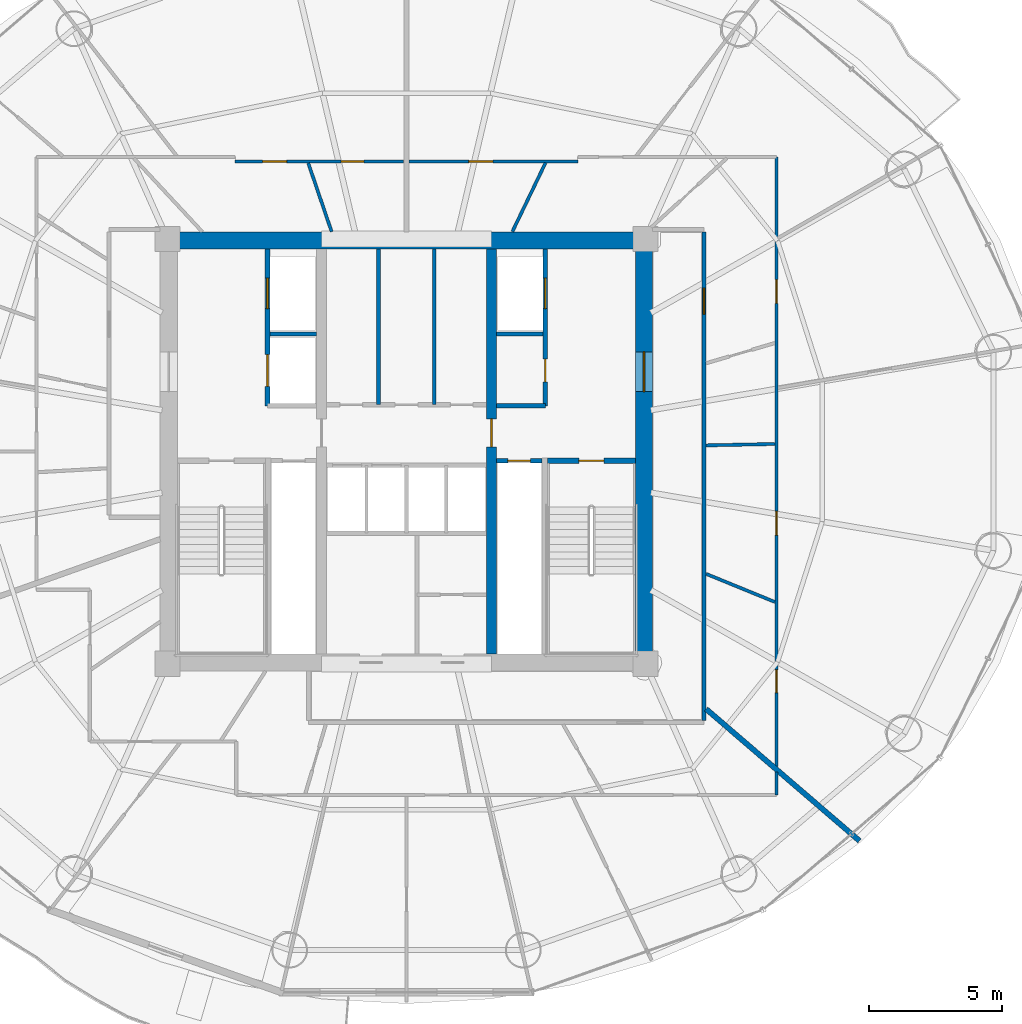
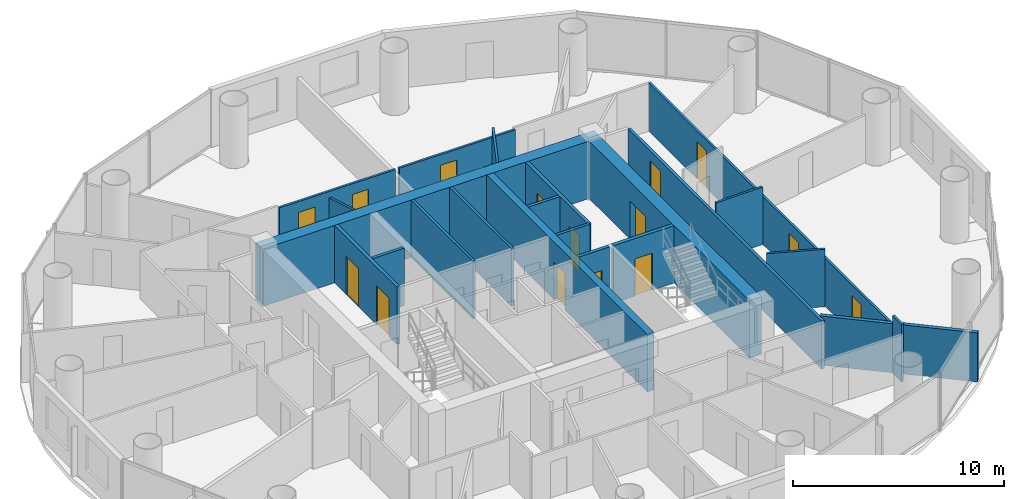
# One storey, part 23 of 27: 22 walls, 15 doors, 15 openings.
"""IFC4 building model written with IfcOpenShell, lengths in metres."""

from ifc_helpers import new_model, si_unit, direction, frame, frame_2d, origin, place, context, subcontext, project, spatial, rectangle, extrude, source, transform, mapped, material, layer, layer_set, type_object, element, fill, save


model = new_model("IFC4")

# Units and contexts
model_context = context("Model", 3, precision=1e-05, world=origin(), true_north=direction((-0.2419218956, 0.970295726276)))
body_context = subcontext(model_context, "Body", "Model", "MODEL_VIEW")
ifc_project = project(units=[si_unit("LENGTHUNIT", "METRE"), si_unit("AREAUNIT", "SQUARE_METRE"), si_unit("VOLUMEUNIT", "CUBIC_METRE"), si_unit("PLANEANGLEUNIT", "RADIAN"), si_unit("MASSUNIT", "GRAM", prefix="KILO")], contexts=[model_context])

# Site, building, storey
site_placement = place(None, origin())
site = spatial("IfcSite", under=ifc_project, at=site_placement, CompositionType="ELEMENT")
building_placement = place(site_placement, origin())
building = spatial("IfcBuilding", under=site, at=building_placement, Name="Cobrevalo Terracotta Tower", CompositionType="ELEMENT")
storey_placement = place(building_placement, frame((0.0, 0.0, 146.199951171875)))
storey = spatial("IfcBuildingStorey", under=building, at=storey_placement, Name="L38", CompositionType="ELEMENT", Elevation=146.199951171875)

# Wall
ifc_material_1 = material(Name="Concrete C55", Category="concrete")
ifc_layer_1 = layer(ifc_material_1, 0.64990234375)
ifc_layer_set_1 = layer_set([ifc_layer_1], Name="Concrete C55")
wall_type_1 = type_object("IfcWallType", Name="Core shear wall 650 mm Concrete C55", PredefinedType="SHEAR", material=ifc_layer_set_1)
wall_1_placement = place(storey_placement, frame((28.72509765625, 34.75, 0.0), z_axis=(0.0, 0.0, 1.0), x_axis=(1.0, 0.0, 0.0)))
element("IfcWall", 1, at=wall_1_placement, inside=storey, type_object=wall_type_1, Name="L38 north core shear wall", PredefinedType="SHEAR", context=body_context, shape_type="SweptSolid", body=[
    extrude(rectangle(XDim=18.5498046875, YDim=0.64990234375, at=frame_2d((9.27490234375, 0.0))), origin(), (0.0, 0.0, 1.0), 3.330078125),
])

# Wall, opening, door
wall_2_placement = place(storey_placement, frame((46.949951171875, 19.175048828125, 0.0), z_axis=(0.0, 0.0, 1.0), x_axis=(0.0, 1.0, 0.0)))
wall_2 = element("IfcWall", 2, at=wall_2_placement, inside=storey, type_object=wall_type_1, Name="L38 east core shear wall", PredefinedType="SHEAR", context=body_context, shape_type="SweptSolid", body=[
    extrude(rectangle(XDim=15.25, YDim=0.64990234375, at=frame_2d((7.625, 0.0))), origin(), (0.0, 0.0, 1.0), 3.330078125),
])
opening_1_placement = place(wall_2_placement, frame((9.875, 0.0, 0.0)))
opening_1 = element("IfcOpeningElement", 3, at=opening_1_placement, cuts=wall_2, Name="Opening ID-14", PredefinedType="OPENING", context=body_context, shape_type="SweptSolid", body=[
    extrude(rectangle(XDim=1.5, YDim=2.199951171875, at=frame_2d((0.75, 1.10009765625))), frame((0.0, 0.3349609375, 0.0), z_axis=(0.0, -1.0, 0.0), x_axis=(1.0, 0.0, 0.0)), (0.0, 0.0, 1.0), 0.669921875),
])
ifc_material_2 = material(Name="Galvanized fire-rated steel", Category="steel")
door_type_1 = type_object("IfcDoorType", Name="Core cross-lobby double fire door 1500x2200 EI 90", OperationType="NOTDEFINED", PredefinedType="DOOR", material=ifc_material_2)
shared_shape_1 = source(origin(), body_context, "Body", "SweptSolid", [
    extrude(rectangle(XDim=1.5, YDim=2.199951171875, at=frame_2d((0.75, 1.10009765625))), frame((0.0, 0.02490234375, 0.0), z_axis=(0.0, -1.0, 0.0), x_axis=(1.0, 0.0, 0.0)), (0.0, 0.0, 1.0), 0.050048828125),
])
door_1_placement = place(opening_1_placement, frame((1.5, 0.0, 0.0), z_axis=(0.0, 0.0, 1.0), x_axis=(-1.0, 0.0, 0.0)))
door_1 = element("IfcDoor", 4, at=door_1_placement, inside=storey, type_object=door_type_1, Name="L38 east firefighting lobby entrance door", OperationType="DOUBLE_DOOR_SINGLE_SWING", OverallHeight=2.199951171875, OverallWidth=1.5, PredefinedType="DOOR", context=body_context, shape_type="MappedRepresentation", body=[
    mapped(shared_shape_1, transform((0.0, 0.0, 0.0), scale=1.0)),
])
fill(opening_1, door_1)

# Walls
ifc_material_3 = material(Name="Gypsum board on steel stud", Category="steel")
ifc_layer_2 = layer(ifc_material_3, 0.159912109375)
ifc_layer_set_2 = layer_set([ifc_layer_2], Name="Gypsum board on steel stud")
wall_type_2 = type_object("IfcWallType", Name="Fire-rated corridor acoustic partition wall 160 mm", PredefinedType="PARTITIONING", material=ifc_layer_set_2)
for number, where, z_axis, x_axis, name in (
    (5, (32.860107421875, 31.219970703125, 0.0), (0.0, 0.0, 1.0), (1.0, 0.0, 0.0), "L38 interior partition IW-L38-FF1-M"),
    (6, (41.389892578125, 31.219970703125, 0.0), (0.0, 0.0, 1.0), (1.0, 0.0, 0.0), "L38 interior partition IW-L38-FF2-M"),
):
    element("IfcWall", number, at=place(storey_placement, frame(where, z_axis=z_axis, x_axis=x_axis)), inside=storey, type_object=wall_type_2, Name=name, PredefinedType="PARTITIONING", context=body_context, shape_type="SweptSolid", body=[
        extrude(rectangle(XDim=1.75, YDim=0.159912109375, at=frame_2d((0.875, 0.0))), origin(), (0.0, 0.0, 1.0), 3.330078125),
    ])
wall_3_placement = place(storey_placement, frame((41.389892578125, 28.52001953125, 0.0), z_axis=(0.0, 0.0, 1.0), x_axis=(1.0, 0.0, 0.0)))
element("IfcWall", 7, at=wall_3_placement, inside=storey, type_object=wall_type_2, Name="L38 interior partition IW-L38-FF2-S", PredefinedType="PARTITIONING", context=body_context, shape_type="SweptSolid", body=[
    extrude(rectangle(XDim=1.840087890625, YDim=0.159912109375, at=frame_2d((0.919921875, 0.0))), origin(), (0.0, 0.0, 1.0), 3.330078125),
])

# Wall, opening, door
wall_4_placement = place(storey_placement, frame((49.205078125, 16.675048828125, 0.0), z_axis=(0.0, 0.0, 1.0), x_axis=(0.0, 1.0, 0.0)))
wall_4 = element("IfcWall", 8, at=wall_4_placement, inside=storey, type_object=wall_type_2, Name="L38 interior partition IW-L38-COR-E", PredefinedType="PARTITIONING", context=body_context, shape_type="SweptSolid", body=[
    extrude(rectangle(XDim=18.39990234375, YDim=0.159912109375, at=frame_2d((9.199951171875, 0.0))), origin(), (0.0, 0.0, 1.0), 2.776123046875),
])
opening_2_placement = place(wall_4_placement, frame((15.298828125, 0.0, 0.0)))
opening_2 = element("IfcOpeningElement", 9, at=opening_2_placement, cuts=wall_4, Name="Opening ID-05", PredefinedType="OPENING", context=body_context, shape_type="SweptSolid", body=[
    extrude(rectangle(XDim=0.97998046875, YDim=2.199951171875, at=frame_2d((0.489990234375, 1.10009765625))), frame((0.0, 0.08984375, 0.0), z_axis=(0.0, -1.0, 0.0), x_axis=(1.0, 0.0, 0.0)), (0.0, 0.0, 1.0), 0.179931640625),
])
ifc_material_4 = material(Name="Solid hardwood timber", Category="wood")
door_type_2 = type_object("IfcDoorType", Name="Residence entrance fire-rated acoustic timber door 980x2200 EI 60", OperationType="NOTDEFINED", PredefinedType="DOOR", material=ifc_material_4)
shared_shape_2 = source(origin(), body_context, "Body", "SweptSolid", [
    extrude(rectangle(XDim=0.97998046875, YDim=2.199951171875, at=frame_2d((0.489990234375, 1.10009765625))), frame((0.0, 0.02490234375, 0.0), z_axis=(0.0, -1.0, 0.0), x_axis=(1.0, 0.0, 0.0)), (0.0, 0.0, 1.0), 0.050048828125),
])
door_2_placement = place(opening_2_placement, frame((0.97998046875, 0.0, 0.0), z_axis=(0.0, 0.0, 1.0), x_axis=(-1.0, 0.0, 0.0)))
door_2 = element("IfcDoor", 10, at=door_2_placement, inside=storey, type_object=door_type_2, Name="Flat L38C fire-rated apartment entrance door", OperationType="SINGLE_SWING_LEFT", OverallHeight=2.199951171875, OverallWidth=0.97998046875, PredefinedType="DOOR", context=body_context, shape_type="MappedRepresentation", body=[
    mapped(shared_shape_2, transform((0.0, 0.0, 0.0), scale=1.0)),
])
fill(opening_2, door_2)

ifc_layer_3 = layer(ifc_material_3, 0.179931640625)
ifc_layer_set_3 = layer_set([ifc_layer_3], Name="Gypsum board on steel stud")
wall_type_3 = type_object("IfcWallType", Name="Fire-rated shaft & lobby acoustic partition wall 180 mm", PredefinedType="PARTITIONING", material=ifc_layer_set_3)
wall_5_placement = place(storey_placement, frame((41.389892578125, 26.449951171875, 0.0), z_axis=(0.0, 0.0, 1.0), x_axis=(1.0, 0.0, 0.0)))
wall_5 = element("IfcWall", 11, at=wall_5_placement, inside=storey, type_object=wall_type_3, Name="L38 interior partition IW-L38-RSE-N", PredefinedType="PARTITIONING", context=body_context, shape_type="SweptSolid", body=[
    extrude(rectangle(XDim=1.710205078125, YDim=0.179931640625, at=frame_2d((0.85498046875, 0.0))), origin(), (0.0, 0.0, 1.0), 3.330078125),
])
opening_3_placement = place(wall_5_placement, frame((0.429931640625, 0.0, 0.0)))
opening_3 = element("IfcOpeningElement", 12, at=opening_3_placement, cuts=wall_5, Name="Opening ID-22", PredefinedType="OPENING", context=body_context, shape_type="SweptSolid", body=[
    extrude(rectangle(XDim=0.85009765625, YDim=2.10009765625, at=frame_2d((0.425048828125, 1.050048828125))), frame((0.0, 0.10009765625, 0.0), z_axis=(0.0, -1.0, 0.0), x_axis=(1.0, 0.0, 0.0)), (0.0, 0.0, 1.0), 0.199951171875),
])
ifc_material_5 = material(Name="Powder-coated steel", Category="steel")
door_type_3 = type_object("IfcDoorType", Name="Riser shaft & meter closet fire access door 850x2100 EI 60", OperationType="NOTDEFINED", PredefinedType="DOOR", material=ifc_material_5)
shared_shape_3 = source(origin(), body_context, "Body", "SweptSolid", [
    extrude(rectangle(XDim=0.85009765625, YDim=2.10009765625, at=frame_2d((0.425048828125, 1.050048828125))), frame((0.0, 0.02490234375, 0.0), z_axis=(0.0, -1.0, 0.0), x_axis=(1.0, 0.0, 0.0)), (0.0, 0.0, 1.0), 0.050048828125),
])
door_3_placement = place(opening_3_placement, origin())
door_3 = element("IfcDoor", 13, at=door_3_placement, inside=storey, type_object=door_type_3, Name="L38 riser access door RSE", OperationType="SINGLE_SWING_RIGHT", OverallHeight=2.10009765625, OverallWidth=0.85009765625, PredefinedType="DOOR", context=body_context, shape_type="MappedRepresentation", body=[
    mapped(shared_shape_3, transform((0.0, 0.0, 0.0), scale=1.0)),
])
fill(opening_3, door_3)

# Wall, openings, doors
wall_6_placement = place(storey_placement, frame((32.77001953125, 28.52001953125, 0.0), z_axis=(0.0, 0.0, 1.0), x_axis=(0.0, 1.0, 0.0)))
wall_6 = element("IfcWall", 14, at=wall_6_placement, inside=storey, type_object=wall_type_3, Name="L38 interior partition IW-L38-FF1-W", PredefinedType="PARTITIONING", context=body_context, shape_type="SweptSolid", body=[
    extrude(rectangle(XDim=5.905029296875, YDim=0.179931640625, at=frame_2d((2.95263671875, 0.0))), origin(), (0.0, 0.0, 1.0), 3.330078125),
])
opening_4_placement = place(wall_6_placement, frame((3.655029296875, 0.0, 0.0)))
opening_4 = element("IfcOpeningElement", 15, at=opening_4_placement, cuts=wall_6, Name="Opening LD-02", PredefinedType="OPENING", context=body_context, shape_type="SweptSolid", body=[
    extrude(rectangle(XDim=1.14990234375, YDim=2.199951171875, at=frame_2d((0.574951171875, 1.10009765625))), frame((0.0, 0.10009765625, 0.0), z_axis=(0.0, -1.0, 0.0), x_axis=(1.0, 0.0, 0.0)), (0.0, 0.0, 1.0), 0.199951171875),
])
opening_5_placement = place(wall_6_placement, frame((0.72998046875, 0.0, 0.0)))
opening_5 = element("IfcOpeningElement", 16, at=opening_5_placement, cuts=wall_6, Name="Opening LD-03", PredefinedType="OPENING", context=body_context, shape_type="SweptSolid", body=[
    extrude(rectangle(XDim=1.199951171875, YDim=2.25, at=frame_2d((0.60009765625, 1.125))), frame((0.0, 0.10009765625, 0.0), z_axis=(0.0, -1.0, 0.0), x_axis=(1.0, 0.0, 0.0)), (0.0, 0.0, 1.0), 0.199951171875),
])
ifc_material_6 = material(Name="Brushed stainless steel", Category="steel")
door_type_4 = type_object("IfcDoorType", Name="Firefighting lift landing bi-parting sliding door 1150x2200 EI 120", OperationType="DOUBLE_DOOR_SLIDING", PredefinedType="DOOR", material=ifc_material_6)
shared_shape_4 = source(origin(), body_context, "Body", "SweptSolid", [
    extrude(rectangle(XDim=1.14990234375, YDim=2.199951171875, at=frame_2d((0.574951171875, 1.10009765625))), frame((0.0, 0.02490234375, 0.0), z_axis=(0.0, -1.0, 0.0), x_axis=(1.0, 0.0, 0.0)), (0.0, 0.0, 1.0), 0.050048828125),
])
door_4_placement = place(opening_4_placement, origin())
door_4 = element("IfcDoor", 17, at=door_4_placement, inside=storey, type_object=door_type_4, Name="L38 lift landing door FF-1", OperationType="DOUBLE_DOOR_SLIDING", OverallHeight=2.199951171875, OverallWidth=1.14990234375, PredefinedType="DOOR", context=body_context, shape_type="MappedRepresentation", body=[
    mapped(shared_shape_4, transform((0.0, 0.0, 0.0), scale=1.0)),
])
fill(opening_4, door_4)
door_type_5 = type_object("IfcDoorType", Name="Service lift landing bi-parting sliding door 1200x2250 EI 120", OperationType="DOUBLE_DOOR_SLIDING", PredefinedType="DOOR", material=ifc_material_6)
shared_shape_5 = source(origin(), body_context, "Body", "SweptSolid", [
    extrude(rectangle(XDim=1.199951171875, YDim=2.25, at=frame_2d((0.60009765625, 1.125))), frame((0.0, 0.02490234375, 0.0), z_axis=(0.0, -1.0, 0.0), x_axis=(1.0, 0.0, 0.0)), (0.0, 0.0, 1.0), 0.050048828125),
])
door_5_placement = place(opening_5_placement, origin())
door_5 = element("IfcDoor", 18, at=door_5_placement, inside=storey, type_object=door_type_5, Name="L38 lift landing door SV-1", OperationType="DOUBLE_DOOR_SLIDING", OverallHeight=2.25, OverallWidth=1.199951171875, PredefinedType="DOOR", context=body_context, shape_type="MappedRepresentation", body=[
    mapped(shared_shape_5, transform((0.0, 0.0, 0.0), scale=1.0)),
])
fill(opening_5, door_5)

wall_7_placement = place(storey_placement, frame((43.22998046875, 28.52001953125, 0.0), z_axis=(0.0, 0.0, 1.0), x_axis=(0.0, 1.0, 0.0)))
wall_7 = element("IfcWall", 19, at=wall_7_placement, inside=storey, type_object=wall_type_3, Name="L38 interior partition IW-L38-FF2-E", PredefinedType="PARTITIONING", context=body_context, shape_type="SweptSolid", body=[
    extrude(rectangle(XDim=5.905029296875, YDim=0.179931640625, at=frame_2d((2.95263671875, 0.0))), origin(), (0.0, 0.0, 1.0), 3.330078125),
])
opening_6_placement = place(wall_7_placement, frame((0.905029296875, 0.0, 0.0)))
opening_6 = element("IfcOpeningElement", 20, at=opening_6_placement, cuts=wall_7, Name="Opening ID-22", PredefinedType="OPENING", context=body_context, shape_type="SweptSolid", body=[
    extrude(rectangle(XDim=0.85009765625, YDim=2.10009765625, at=frame_2d((0.425048828125, 1.050048828125))), frame((0.0, 0.10009765625, 0.0), z_axis=(0.0, -1.0, 0.0), x_axis=(1.0, 0.0, 0.0)), (0.0, 0.0, 1.0), 0.199951171875),
])
opening_7_placement = place(wall_7_placement, frame((3.655029296875, 0.0, 0.0)))
opening_7 = element("IfcOpeningElement", 21, at=opening_7_placement, cuts=wall_7, Name="Opening LD-02", PredefinedType="OPENING", context=body_context, shape_type="SweptSolid", body=[
    extrude(rectangle(XDim=1.14990234375, YDim=2.199951171875, at=frame_2d((0.574951171875, 1.10009765625))), frame((0.0, 0.10009765625, 0.0), z_axis=(0.0, -1.0, 0.0), x_axis=(1.0, 0.0, 0.0)), (0.0, 0.0, 1.0), 0.199951171875),
])
door_6_placement = place(opening_6_placement, frame((0.85009765625, 0.0, 0.0), z_axis=(0.0, 0.0, 1.0), x_axis=(-1.0, 0.0, 0.0)))
door_6 = element("IfcDoor", 22, at=door_6_placement, inside=storey, type_object=door_type_3, Name="L38 housekeeping store door", OperationType="SINGLE_SWING_RIGHT", OverallHeight=2.10009765625, OverallWidth=0.85009765625, PredefinedType="DOOR", context=body_context, shape_type="MappedRepresentation", body=[
    mapped(shared_shape_3, transform((0.0, 0.0, 0.0), scale=1.0)),
])
fill(opening_6, door_6)
door_7_placement = place(opening_7_placement, origin())
door_7 = element("IfcDoor", 23, at=door_7_placement, inside=storey, type_object=door_type_4, Name="L38 lift landing door FF-2", OperationType="DOUBLE_DOOR_SLIDING", OverallHeight=2.199951171875, OverallWidth=1.14990234375, PredefinedType="DOOR", context=body_context, shape_type="MappedRepresentation", body=[
    mapped(shared_shape_4, transform((0.0, 0.0, 0.0), scale=1.0)),
])
fill(opening_7, door_7)

# Wall
ifc_material_7 = material(Name="Autoclaved aerated concrete block", Category="concrete")
ifc_layer_4 = layer(ifc_material_7, 0.199951171875)
ifc_layer_set_4 = layer_set([ifc_layer_4], Name="Autoclaved aerated concrete block")
wall_type_4 = type_object("IfcWallType", Name="Fire-rated stair, shaft & demising masonry wall 200 mm", PredefinedType="PARTITIONING", material=ifc_layer_set_4)
wall_8_placement = place(storey_placement, frame((49.28662109375, 17.09912109375, 0.0), z_axis=(0.0, 0.0, 1.0), x_axis=(0.758362300646, -0.651833276965, 0.0)))
element("IfcWall", 24, at=wall_8_placement, inside=storey, type_object=wall_type_4, Name="L38 interior partition IW-L38-DEM-3", PredefinedType="PARTITIONING", context=body_context, shape_type="SweptSolid", body=[
    extrude(rectangle(XDim=7.617919921875, YDim=0.199951171875, at=frame_2d((3.80908203125, 0.0))), origin(), (0.0, 0.0, 1.0), 2.845947265625),
])

# Wall, opening, door
ifc_material_8 = material(Name="Concrete C50", Category="concrete")
ifc_layer_5 = layer(ifc_material_8, 0.3798828125)
ifc_layer_set_5 = layer_set([ifc_layer_5], Name="Concrete C50")
wall_type_5 = type_object("IfcWallType", Name="Internal core shear web wall 380 mm Concrete C50", PredefinedType="SHEAR", material=ifc_layer_set_5)
wall_9_placement = place(storey_placement, frame((41.199951171875, 19.175048828125, 0.0), z_axis=(0.0, 0.0, 1.0), x_axis=(0.0, 1.0, 0.0)))
wall_9 = element("IfcWall", 25, at=wall_9_placement, inside=storey, type_object=wall_type_5, Name="L38 internal core shear wall WEB-E", PredefinedType="SHEAR", context=body_context, shape_type="SweptSolid", body=[
    extrude(rectangle(XDim=15.25, YDim=0.3798828125, at=frame_2d((7.625, 0.0))), origin(), (0.0, 0.0, 1.0), 3.330078125),
])
opening_8_placement = place(wall_9_placement, frame((7.800048828125, 0.0, 0.0)))
opening_8 = element("IfcOpeningElement", 26, at=opening_8_placement, cuts=wall_9, Name="Opening ID-11", PredefinedType="OPENING", context=body_context, shape_type="SweptSolid", body=[
    extrude(rectangle(XDim=1.050048828125, YDim=2.14990234375, at=frame_2d((0.52490234375, 1.074951171875))), frame((0.0, 0.199951171875, 0.0), z_axis=(0.0, -1.0, 0.0), x_axis=(1.0, 0.0, 0.0)), (0.0, 0.0, 1.0), 0.39990234375),
])
door_type_6 = type_object("IfcDoorType", Name="Core concourse cross fire door 1050x2150 EI 90", OperationType="NOTDEFINED", PredefinedType="DOOR", material=ifc_material_2)
shared_shape_6 = source(origin(), body_context, "Body", "SweptSolid", [
    extrude(rectangle(XDim=1.050048828125, YDim=2.14990234375, at=frame_2d((0.52490234375, 1.074951171875))), frame((0.0, 0.02490234375, 0.0), z_axis=(0.0, -1.0, 0.0), x_axis=(1.0, 0.0, 0.0)), (0.0, 0.0, 1.0), 0.050048828125),
])
door_8_placement = place(opening_8_placement, frame((1.050048828125, 0.0, 0.0), z_axis=(0.0, 0.0, 1.0), x_axis=(-1.0, 0.0, 0.0)))
door_8 = element("IfcDoor", 27, at=door_8_placement, inside=storey, type_object=door_type_6, Name="L38 east core concourse cross door", OperationType="SINGLE_SWING_RIGHT", OverallHeight=2.14990234375, OverallWidth=1.050048828125, PredefinedType="DOOR", context=body_context, shape_type="MappedRepresentation", body=[
    mapped(shared_shape_6, transform((0.0, 0.0, 0.0), scale=1.0)),
])
fill(opening_8, door_8)

# Walls
ifc_layer_6 = layer(ifc_material_7, 0.139892578125)
ifc_layer_set_6 = layer_set([ifc_layer_6], Name="Autoclaved aerated concrete block")
wall_type_6 = type_object("IfcWallType", Name="Moisture-resistant wet-room & core service partition 140 mm", PredefinedType="PARTITIONING", material=ifc_layer_set_6)
for number, where, z_axis, x_axis, name in (
    (28, (36.949951171875, 28.56005859375, 0.0), (0.0, 0.0, 1.0), (0.0, 1.0, 0.0), "L38 interior partition IW-L38-KVN-A"),
    (29, (39.050048828125, 28.56005859375, 0.0), (0.0, 0.0, 1.0), (0.0, 1.0, 0.0), "L38 interior partition IW-L38-KVN-B"),
):
    element("IfcWall", number, at=place(storey_placement, frame(where, z_axis=z_axis, x_axis=x_axis)), inside=storey, type_object=wall_type_6, Name=name, PredefinedType="PARTITIONING", context=body_context, shape_type="SweptSolid", body=[
        extrude(rectangle(XDim=5.864990234375, YDim=0.139892578125, at=frame_2d((2.9326171875, 0.0))), origin(), (0.0, 0.0, 1.0), 3.330078125),
    ])

# Wall, openings, doors
ifc_layer_7 = layer(ifc_material_3, 0.1201171875)
ifc_layer_set_7 = layer_set([ifc_layer_7], Name="Gypsum board on steel stud")
wall_type_7 = type_object("IfcWallType", Name="Residential internal acoustic stud partition 120 mm", PredefinedType="PARTITIONING", material=ifc_layer_set_7)
wall_10_placement = place(storey_placement, frame((31.534912109375, 37.72509765625, 0.0), z_axis=(0.0, 0.0, 1.0), x_axis=(1.0, 0.0, 0.0)))
wall_10 = element("IfcWall", 30, at=wall_10_placement, inside=storey, type_object=wall_type_7, Name="L38 interior partition IW-L38-U1-RING3_0", PredefinedType="PARTITIONING", context=body_context, shape_type="SweptSolid", body=[
    extrude(rectangle(XDim=6.363037109375, YDim=0.1201171875, at=frame_2d((3.181640625, 0.0))), origin(), (0.0, 0.0, 1.0), 2.776123046875),
])
opening_9_placement = place(wall_10_placement, frame((4.004150390625, 0.0, 0.0)))
opening_9 = element("IfcOpeningElement", 31, at=opening_9_placement, cuts=wall_10, Name="Opening ID-19", PredefinedType="OPENING", context=body_context, shape_type="SweptSolid", body=[
    extrude(rectangle(XDim=0.860107421875, YDim=2.14990234375, at=frame_2d((0.43017578125, 1.074951171875))), frame((0.0, 0.070068359375, 0.0), z_axis=(0.0, -1.0, 0.0), x_axis=(1.0, 0.0, 0.0)), (0.0, 0.0, 1.0), 0.14013671875),
])
opening_10_placement = place(wall_10_placement, frame((1.04931640625, 0.0, 0.0)))
opening_10 = element("IfcOpeningElement", 32, at=opening_10_placement, cuts=wall_10, Name="Opening ID-12", PredefinedType="OPENING", context=body_context, shape_type="SweptSolid", body=[
    extrude(rectangle(XDim=0.89990234375, YDim=2.14990234375, at=frame_2d((0.449951171875, 1.074951171875))), frame((0.0, 0.070068359375, 0.0), z_axis=(0.0, -1.0, 0.0), x_axis=(1.0, 0.0, 0.0)), (0.0, 0.0, 1.0), 0.14013671875),
])
ifc_material_9 = material(Name="Moisture-sealed timber", Category="wood")
door_type_7 = type_object("IfcDoorType", Name="Suite bathroom internal timber door 860x2150", OperationType="NOTDEFINED", PredefinedType="DOOR", material=ifc_material_9)
shared_shape_7 = source(origin(), body_context, "Body", "SweptSolid", [
    extrude(rectangle(XDim=0.860107421875, YDim=2.14990234375, at=frame_2d((0.43017578125, 1.074951171875))), frame((0.0, 0.02490234375, 0.0), z_axis=(0.0, -1.0, 0.0), x_axis=(1.0, 0.0, 0.0)), (0.0, 0.0, 1.0), 0.050048828125),
])
door_9_placement = place(opening_9_placement, frame((0.860107421875, 0.0, 0.0), z_axis=(0.0, 0.0, 1.0), x_axis=(-1.0, 0.0, 0.0)))
door_9 = element("IfcDoor", 33, at=door_9_placement, inside=storey, type_object=door_type_7, Name="Flat L38A Guest Bathroom internal door", OperationType="SINGLE_SWING_LEFT", OverallHeight=2.14990234375, OverallWidth=0.860107421875, PredefinedType="DOOR", context=body_context, shape_type="MappedRepresentation", body=[
    mapped(shared_shape_7, transform((0.0, 0.0, 0.0), scale=1.0)),
])
fill(opening_9, door_9)
ifc_material_10 = material(Name="Engineered timber", Category="wood")
door_type_8 = type_object("IfcDoorType", Name="Internal residence & suite timber door 900x2150", OperationType="NOTDEFINED", PredefinedType="DOOR", material=ifc_material_10)
shared_shape_8 = source(origin(), body_context, "Body", "SweptSolid", [
    extrude(rectangle(XDim=0.89990234375, YDim=2.14990234375, at=frame_2d((0.449951171875, 1.074951171875))), frame((0.0, 0.02490234375, 0.0), z_axis=(0.0, -1.0, 0.0), x_axis=(1.0, 0.0, 0.0)), (0.0, 0.0, 1.0), 0.050048828125),
])
door_10_placement = place(opening_10_placement, frame((0.89990234375, 0.0, 0.0), z_axis=(0.0, 0.0, 1.0), x_axis=(-1.0, 0.0, 0.0)))
door_10 = element("IfcDoor", 34, at=door_10_placement, inside=storey, type_object=door_type_8, Name="Flat L38A Utility Closet internal door", OperationType="SINGLE_SWING_RIGHT", OverallHeight=2.14990234375, OverallWidth=0.89990234375, PredefinedType="DOOR", context=body_context, shape_type="MappedRepresentation", body=[
    mapped(shared_shape_8, transform((0.0, 0.0, 0.0), scale=1.0)),
])
fill(opening_10, door_10)

# Walls
wall_11_placement = place(storey_placement, frame((35.182373046875, 35.074951171875, 0.0), z_axis=(0.0, 0.0, 1.0), x_axis=(-0.322321614946, 0.946630221649, 0.0)))
element("IfcWall", 35, at=wall_11_placement, inside=storey, type_object=wall_type_7, Name="L38 interior partition IW-L38-U1-IRAD1", PredefinedType="PARTITIONING", context=body_context, shape_type="SweptSolid", body=[
    extrude(rectangle(XDim=2.7373046875, YDim=0.1201171875, at=frame_2d((1.36865234375, 0.0))), origin(), (0.0, 0.0, 1.0), 2.4150390625),
])
wall_12_placement = place(storey_placement, frame((51.93505859375, 14.720703125, 0.0), z_axis=(0.0, 0.0, 1.0), x_axis=(0.0, -1.0, 0.0)))
element("IfcWall", 36, at=wall_12_placement, inside=storey, type_object=wall_type_7, Name="L38 interior partition IW-L38-U2-RING0_0", PredefinedType="PARTITIONING", context=body_context, shape_type="SweptSolid", body=[
    extrude(rectangle(XDim=0.855712890625, YDim=0.1201171875, at=frame_2d((0.427734375, 0.0))), origin(), (0.0, 0.0, 1.0), 3.330078125),
])

# Wall, opening, door
wall_13_placement = place(storey_placement, frame((38.10205078125, 37.72509765625, 0.0), z_axis=(0.0, 0.0, 1.0), x_axis=(1.0, 0.0, 0.0)))
wall_13 = element("IfcWall", 37, at=wall_13_placement, inside=storey, type_object=wall_type_7, Name="L38 interior partition IW-L38-U3-RING0_0", PredefinedType="PARTITIONING", context=body_context, shape_type="SweptSolid", body=[
    extrude(rectangle(XDim=6.363037109375, YDim=0.1201171875, at=frame_2d((3.181640625, 0.0))), origin(), (0.0, 0.0, 1.0), 2.776123046875),
])
opening_11_placement = place(wall_13_placement, frame((2.25146484375, 0.0, 0.0)))
opening_11 = element("IfcOpeningElement", 38, at=opening_11_placement, cuts=wall_13, Name="Opening ID-12", PredefinedType="OPENING", context=body_context, shape_type="SweptSolid", body=[
    extrude(rectangle(XDim=0.89990234375, YDim=2.14990234375, at=frame_2d((0.449951171875, 1.074951171875))), frame((0.0, 0.070068359375, 0.0), z_axis=(0.0, -1.0, 0.0), x_axis=(1.0, 0.0, 0.0)), (0.0, 0.0, 1.0), 0.14013671875),
])
door_11_placement = place(opening_11_placement, frame((0.89990234375, 0.0, 0.0), z_axis=(0.0, 0.0, 1.0), x_axis=(-1.0, 0.0, 0.0)))
door_11 = element("IfcDoor", 39, at=door_11_placement, inside=storey, type_object=door_type_8, Name="Flat L38C Private Library Meeting Room internal door", OperationType="SINGLE_SWING_LEFT", OverallHeight=2.14990234375, OverallWidth=0.89990234375, PredefinedType="DOOR", context=body_context, shape_type="MappedRepresentation", body=[
    mapped(shared_shape_8, transform((0.0, 0.0, 0.0), scale=1.0)),
])
fill(opening_11, door_11)

# Wall, openings, doors
wall_14_placement = place(storey_placement, frame((51.93505859375, 37.885009765625, 0.0), z_axis=(0.0, 0.0, 1.0), x_axis=(0.0, -1.0, 0.0)))
wall_14 = element("IfcWall", 40, at=wall_14_placement, inside=storey, type_object=wall_type_7, Name="L38 interior partition IW-L38-U3-RING3_0", PredefinedType="PARTITIONING", context=body_context, shape_type="SweptSolid", body=[
    extrude(rectangle(XDim=22.960205078125, YDim=0.1201171875, at=frame_2d((11.47998046875, 0.0))), origin(), (0.0, 0.0, 1.0), 2.776123046875),
])
opening_12_placement = place(wall_14_placement, frame((4.60986328125, 0.0, 0.0)))
opening_12 = element("IfcOpeningElement", 41, at=opening_12_placement, cuts=wall_14, Name="Opening ID-12", PredefinedType="OPENING", context=body_context, shape_type="SweptSolid", body=[
    extrude(rectangle(XDim=0.89990234375, YDim=2.14990234375, at=frame_2d((0.449951171875, 1.074951171875))), frame((0.0, 0.070068359375, 0.0), z_axis=(0.0, -1.0, 0.0), x_axis=(1.0, 0.0, 0.0)), (0.0, 0.0, 1.0), 0.14013671875),
])
opening_13_placement = place(wall_14_placement, frame((19.309814453125, 0.0, 0.0)))
opening_13 = element("IfcOpeningElement", 42, at=opening_13_placement, cuts=wall_14, Name="Opening ID-19", PredefinedType="OPENING", context=body_context, shape_type="SweptSolid", body=[
    extrude(rectangle(XDim=0.860107421875, YDim=2.14990234375, at=frame_2d((0.43017578125, 1.074951171875))), frame((0.0, 0.070068359375, 0.0), z_axis=(0.0, -1.0, 0.0), x_axis=(1.0, 0.0, 0.0)), (0.0, 0.0, 1.0), 0.14013671875),
])
opening_14_placement = place(wall_14_placement, frame((13.3408203125, 0.0, 0.0)))
opening_14 = element("IfcOpeningElement", 43, at=opening_14_placement, cuts=wall_14, Name="Opening ID-12", PredefinedType="OPENING", context=body_context, shape_type="SweptSolid", body=[
    extrude(rectangle(XDim=0.89990234375, YDim=2.14990234375, at=frame_2d((0.449951171875, 1.074951171875))), frame((0.0, 0.070068359375, 0.0), z_axis=(0.0, -1.0, 0.0), x_axis=(1.0, 0.0, 0.0)), (0.0, 0.0, 1.0), 0.14013671875),
])
door_12_placement = place(opening_13_placement, frame((0.860107421875, 0.0, 0.0), z_axis=(0.0, 0.0, 1.0), x_axis=(-1.0, 0.0, 0.0)))
door_12 = element("IfcDoor", 44, at=door_12_placement, inside=storey, type_object=door_type_7, Name="Flat L38C Guest Bathroom internal door", OperationType="SINGLE_SWING_LEFT", OverallHeight=2.14990234375, OverallWidth=0.860107421875, PredefinedType="DOOR", context=body_context, shape_type="MappedRepresentation", body=[
    mapped(shared_shape_7, transform((0.0, 0.0, 0.0), scale=1.0)),
])
fill(opening_13, door_12)
door_13_placement = place(opening_12_placement, origin())
door_13 = element("IfcDoor", 45, at=door_13_placement, inside=storey, type_object=door_type_8, Name="Flat L38C Master Bedroom internal door", OperationType="SINGLE_SWING_RIGHT", OverallHeight=2.14990234375, OverallWidth=0.89990234375, PredefinedType="DOOR", context=body_context, shape_type="MappedRepresentation", body=[
    mapped(shared_shape_8, transform((0.0, 0.0, 0.0), scale=1.0)),
])
fill(opening_12, door_13)
door_14_placement = place(opening_14_placement, frame((0.89990234375, 0.0, 0.0), z_axis=(0.0, 0.0, 1.0), x_axis=(-1.0, 0.0, 0.0)))
door_14 = element("IfcDoor", 46, at=door_14_placement, inside=storey, type_object=door_type_8, Name="Flat L38C Utility Closet internal door", OperationType="SINGLE_SWING_RIGHT", OverallHeight=2.14990234375, OverallWidth=0.89990234375, PredefinedType="DOOR", context=body_context, shape_type="MappedRepresentation", body=[
    mapped(shared_shape_8, transform((0.0, 0.0, 0.0), scale=1.0)),
])
fill(opening_14, door_14)

# Walls
wall_15_placement = place(storey_placement, frame((49.286865234375, 22.1884765625, 0.0), z_axis=(0.0, 0.0, 1.0), x_axis=(0.925708058909, -0.378238799796, 0.0)))
element("IfcWall", 47, at=wall_15_placement, inside=storey, type_object=wall_type_7, Name="L38 interior partition IW-L38-U3-IRAD1", PredefinedType="PARTITIONING", context=body_context, shape_type="SweptSolid", body=[
    extrude(rectangle(XDim=2.798828125, YDim=0.1201171875, at=frame_2d((1.3994140625, 0.0))), origin(), (0.0, 0.0, 1.0), 3.330078125),
])
wall_16_placement = place(storey_placement, frame((49.287109375, 27.028564453125, 0.0), z_axis=(0.0, 0.0, 1.0), x_axis=(0.999794052369, 0.020294157974, 0.0)))
element("IfcWall", 48, at=wall_16_placement, inside=storey, type_object=wall_type_7, Name="L38 interior partition IW-L38-U3-IRAD2", PredefinedType="PARTITIONING", context=body_context, shape_type="SweptSolid", body=[
    extrude(rectangle(XDim=2.58642578125, YDim=0.1201171875, at=frame_2d((1.293212890625, 0.0))), origin(), (0.0, 0.0, 1.0), 3.330078125),
])
wall_17_placement = place(storey_placement, frame((41.98779296875, 35.074951171875, 0.0), z_axis=(0.0, 0.0, 1.0), x_axis=(0.434144408634, 0.900843289619, 0.0)))
element("IfcWall", 49, at=wall_17_placement, inside=storey, type_object=wall_type_7, Name="L38 interior partition IW-L38-U3-IRAD5", PredefinedType="PARTITIONING", context=body_context, shape_type="SweptSolid", body=[
    extrude(rectangle(XDim=2.8798828125, YDim=0.1201171875, at=frame_2d((1.43994140625, 0.0))), origin(), (0.0, 0.0, 1.0), 3.330078125),
])

# Wall, opening, door
ifc_layer_8 = layer(ifc_material_8, 0.199951171875)
ifc_layer_set_8 = layer_set([ifc_layer_8], Name="Concrete C50")
wall_type_8 = type_object("IfcWallType", Name="Structural core & podium stair-shaft RC wall 200 mm Concrete C50", PredefinedType="SOLIDWALL", material=ifc_layer_set_8)
wall_18_placement = place(storey_placement, frame((43.304931640625, 26.449951171875, 0.0), z_axis=(0.0, 0.0, 1.0), x_axis=(1.0, 0.0, 0.0)))
wall_18 = element("IfcWall", 50, at=wall_18_placement, inside=storey, type_object=wall_type_8, Name="L38 ST-2 north structural shaft wall", PredefinedType="SOLIDWALL", context=body_context, shape_type="SweptSolid", body=[
    extrude(rectangle(XDim=3.320068359375, YDim=0.199951171875, at=frame_2d((1.66015625, 0.0))), origin(), (0.0, 0.0, 1.0), 3.330078125),
])
opening_15_placement = place(wall_18_placement, frame((1.18505859375, 0.0, 0.0)))
opening_15 = element("IfcOpeningElement", 51, at=opening_15_placement, cuts=wall_18, Name="Opening ID-04", PredefinedType="OPENING", context=body_context, shape_type="SweptSolid", body=[
    extrude(rectangle(XDim=0.949951171875, YDim=2.14990234375, at=frame_2d((0.47509765625, 1.074951171875))), frame((0.0, 0.10986328125, 0.0), z_axis=(0.0, -1.0, 0.0), x_axis=(1.0, 0.0, 0.0)), (0.0, 0.0, 1.0), 0.219970703125),
])
door_type_9 = type_object("IfcDoorType", Name="Stair & firefighting lobby fire door 950x2150 EI 90", OperationType="NOTDEFINED", PredefinedType="DOOR", material=ifc_material_2)
shared_shape_9 = source(origin(), body_context, "Body", "SweptSolid", [
    extrude(rectangle(XDim=0.949951171875, YDim=2.14990234375, at=frame_2d((0.47509765625, 1.074951171875))), frame((0.0, 0.02490234375, 0.0), z_axis=(0.0, -1.0, 0.0), x_axis=(1.0, 0.0, 0.0)), (0.0, 0.0, 1.0), 0.050048828125),
])
door_15_placement = place(opening_15_placement, frame((0.949951171875, 0.0, 0.0), z_axis=(0.0, 0.0, 1.0), x_axis=(-1.0, 0.0, 0.0)))
door_15 = element("IfcDoor", 52, at=door_15_placement, inside=storey, type_object=door_type_9, Name="L38 protected stair ST2 fire door", OperationType="SINGLE_SWING_RIGHT", OverallHeight=2.14990234375, OverallWidth=0.949951171875, PredefinedType="DOOR", context=body_context, shape_type="MappedRepresentation", body=[
    mapped(shared_shape_9, transform((0.0, 0.0, 0.0), scale=1.0)),
])
fill(opening_15, door_15)

save(model, "model.ifc")
